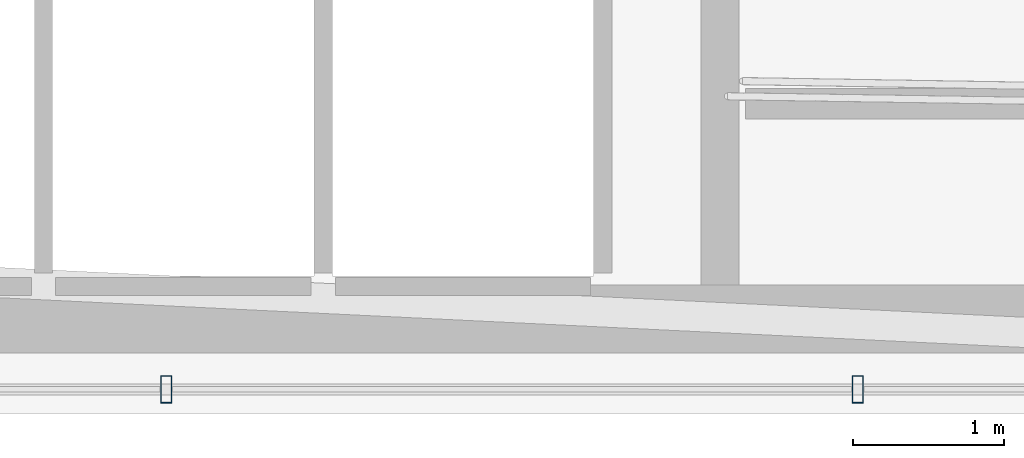
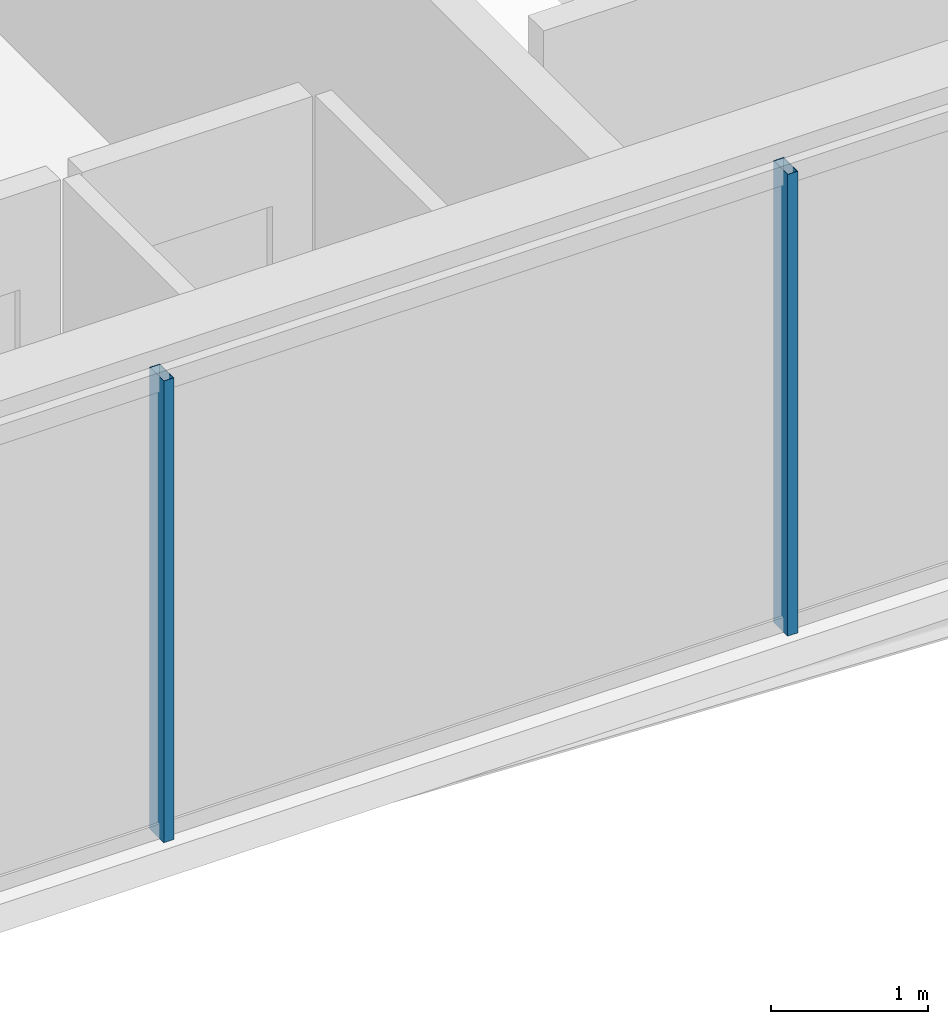
# One storey, part 7 of 32: 2 members, 1 element without a shape of its own.
"""IFC4 building model written with IfcOpenShell, lengths in metres."""

from ifc_helpers import new_model, si_unit, direction, frame, origin, origin_2d, place, context, subcontext, project, spatial, hollow_rectangle, extrude, material, layer, layer_set, material_profile, profile_set, type_object, element, aggregate, save


model = new_model("IFC4")

# Units and contexts
model_context = context("Model", 3, precision=1e-05, world=origin(), true_north=direction((0.0, 1.0)))
body_context = subcontext(model_context, "Body", "Model", "MODEL_VIEW")
ifc_project = project(units=[si_unit("LENGTHUNIT", "METRE"), si_unit("AREAUNIT", "SQUARE_METRE"), si_unit("VOLUMEUNIT", "CUBIC_METRE"), si_unit("PLANEANGLEUNIT", "RADIAN"), si_unit("MASSUNIT", "GRAM", prefix="KILO")], contexts=[model_context])

# Site, building, storey
site_placement = place(None, origin())
site = spatial("IfcSite", under=ifc_project, at=site_placement, CompositionType="ELEMENT")
building_placement = place(site_placement, origin())
building = spatial("IfcBuilding", under=site, at=building_placement, Name="Ndaravel Arena Tower", CompositionType="ELEMENT")
storey_placement = place(building_placement, frame((0.0, 0.0, 74.0)))
storey = spatial("IfcBuildingStorey", under=building, at=storey_placement, Name="L16", CompositionType="ELEMENT", Elevation=74.0)

# Curtain wall, members
ifc_material_1 = material(Name="Aluminium", Category="aluminium")
ifc_layer = layer(ifc_material_1, 0.179931640625)
ifc_layer_set = layer_set([ifc_layer], Name="Aluminium")
curtain_wall_type = type_object("IfcCurtainWallType", Name="CW-SYS-03", PredefinedType="NOTDEFINED", material=ifc_layer_set)
curtain_wall_placement = place(storey_placement, origin())
curtain_wall = element("IfcCurtainWall", 1, at=curtain_wall_placement, inside=storey, type_object=curtain_wall_type, Name="L16 Faceted Crystal Curtain Wall CW-L16-E01", PredefinedType="NOTDEFINED")
ifc_material_2 = material(Name="Aluminium", Category="aluminium")
ifc_material_profile = material_profile(ifc_material_2, hollow_rectangle(XDim=0.074951171875, YDim=0.179931640625, WallThickness=0.00390625, at=origin_2d()), Name="CW MULLION 75x180x4")
ifc_profile_set = profile_set([ifc_material_profile], Name="Aluminium")
member_type = type_object("IfcMemberType", Name="MEM-CW-MUL180", PredefinedType="MULLION", material=ifc_profile_set)
member_1_placement = place(storey_placement, frame((35.136474609375, 5.159912109375, 0.0), z_axis=(0.0, 0.0, 1.0), x_axis=(1.0, 0.0, 0.0)))
member_1 = element("IfcMember", 2, at=member_1_placement, type_object=member_type, Name="CW-L16-E01 Mullion 02", PredefinedType="MULLION", context=body_context, shape_type="SweptSolid", body=[
    extrude(hollow_rectangle(XDim=0.074951171875, YDim=0.179931640625, WallThickness=0.00390625, at=origin_2d()), origin(), (0.0, 0.0, 1.0), 3.580078125),
])
member_2_placement = place(storey_placement, frame((39.712158203125, 5.159912109375, 0.0), z_axis=(0.0, 0.0, 1.0), x_axis=(1.0, 0.0, 0.0)))
member_2 = element("IfcMember", 3, at=member_2_placement, type_object=member_type, Name="CW-L16-E01 Mullion 03", PredefinedType="MULLION", context=body_context, shape_type="SweptSolid", body=[
    extrude(hollow_rectangle(XDim=0.074951171875, YDim=0.179931640625, WallThickness=0.00390625, at=origin_2d()), origin(), (0.0, 0.0, 1.0), 3.580078125),
])
aggregate(curtain_wall, [member_1, member_2])

save(model, "model.ifc")
